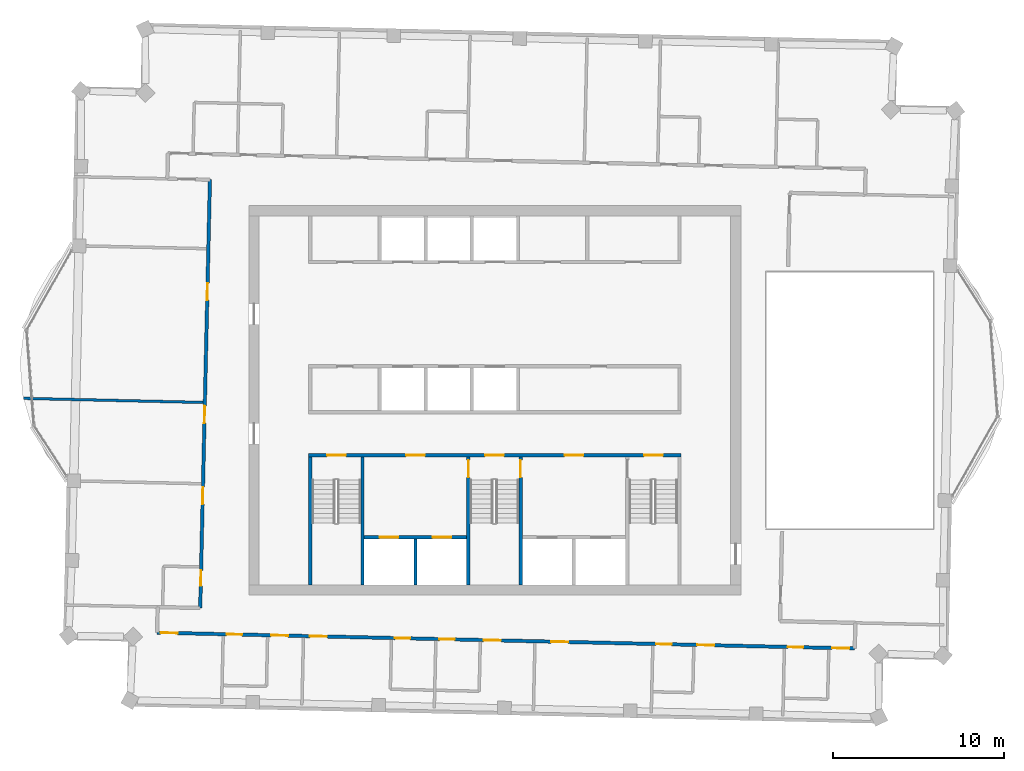
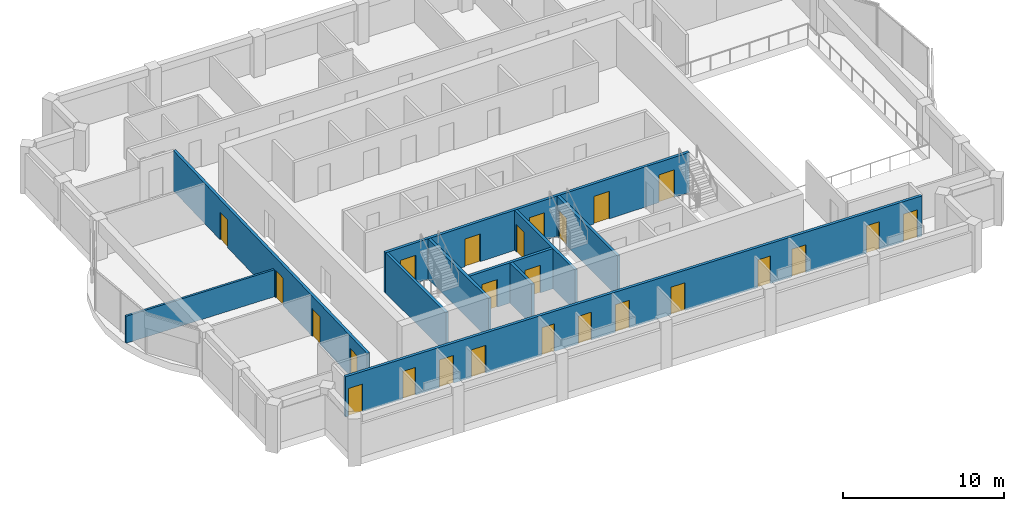
# One storey, part 7 of 12: 25 doors, 10 walls, 25 openings.
"""IFC4 building model written with IfcOpenShell, lengths in metres."""

from ifc_helpers import new_model, si_unit, direction, frame, frame_2d, origin, place, context, subcontext, project, spatial, rectangle, extrude, material, layer, layer_set, type_object, element, fill, save


model = new_model("IFC4")

# Units and contexts
model_context = context("Model", 3, precision=1e-05, world=origin(), true_north=direction((0.0, 1.0)))
body_context = subcontext(model_context, "Body", "Model", "MODEL_VIEW")
ifc_project = project(units=[si_unit("LENGTHUNIT", "METRE"), si_unit("AREAUNIT", "SQUARE_METRE"), si_unit("VOLUMEUNIT", "CUBIC_METRE"), si_unit("PLANEANGLEUNIT", "RADIAN"), si_unit("MASSUNIT", "GRAM", prefix="KILO")], contexts=[model_context])

# Site, building, storey
site_placement = place(None, origin())
site = spatial("IfcSite", under=ifc_project, at=site_placement, CompositionType="ELEMENT")
building_placement = place(site_placement, origin())
building = spatial("IfcBuilding", under=site, at=building_placement, Name="Mangrove Gate Tower", CompositionType="ELEMENT")
storey_placement = place(building_placement, frame((0.0, 0.0, 342.5)))
storey = spatial("IfcBuildingStorey", under=building, at=storey_placement, Name="L87", CompositionType="ELEMENT", Elevation=342.5)

# Wall, openings, doors
ifc_material_1 = material(Name="Concrete C50/60", Category="concrete")
ifc_layer_1 = layer(ifc_material_1, 0.199951171875)
ifc_layer_set_1 = layer_set([ifc_layer_1], Name="Core shaft wall 200 C50/60")
wall_type_1 = type_object("IfcWallType", Name="Core shaft wall 200 C50/60", PredefinedType="SHEAR", material=ifc_layer_set_1)
wall_1_placement = place(storey_placement, frame((-7.64990234375, -8.0, 0.0), z_axis=(0.0, 0.0, 1.0), x_axis=(1.0, 0.0, 0.0)))
wall_1 = element("IfcWall", 1, at=wall_1_placement, inside=storey, type_object=wall_type_1, Name="WALL-L87-CORE-15", PredefinedType="SHEAR", context=body_context, shape_type="SweptSolid", body=[
    extrude(rectangle(XDim=6.0, YDim=0.199951171875, at=frame_2d((3.0, 0.0))), origin(), (0.0, 0.0, 1.0), 3.050048828125),
])
opening_1_placement = place(wall_1_placement, frame((0.89990234375, 0.0, 0.0)))
opening_1 = element("IfcOpeningElement", 2, at=opening_1_placement, cuts=wall_1, Name="Opening LD", PredefinedType="OPENING", context=body_context, shape_type="SweptSolid", body=[
    extrude(rectangle(XDim=1.10009765625, YDim=2.10009765625, at=frame_2d((0.550048828125, 1.050048828125))), frame((0.0, 0.10986328125, 0.0), z_axis=(0.0, -1.0, 0.0), x_axis=(1.0, 0.0, 0.0)), (0.0, 0.0, 1.0), 0.219970703125),
])
opening_2_placement = place(wall_1_placement, frame((4.0, 0.0, 0.0)))
opening_2 = element("IfcOpeningElement", 3, at=opening_2_placement, cuts=wall_1, Name="Opening LD", PredefinedType="OPENING", context=body_context, shape_type="SweptSolid", body=[
    extrude(rectangle(XDim=1.10009765625, YDim=2.10009765625, at=frame_2d((0.550048828125, 1.050048828125))), frame((0.0, 0.10986328125, 0.0), z_axis=(0.0, -1.0, 0.0), x_axis=(1.0, 0.0, 0.0)), (0.0, 0.0, 1.0), 0.219970703125),
])
ifc_material_2 = material(Name="Stainless steel 316", Category="steel")
door_type_1 = type_object("IfcDoorType", Name="Lift landing door 1100x2100", OperationType="SLIDING_TO_LEFT", PredefinedType="DOOR", material=ifc_material_2)
door_1_placement = place(opening_1_placement, origin())
door_1 = element("IfcDoor", 4, at=door_1_placement, inside=storey, type_object=door_type_1, Name="Landing door LD SVL1", OperationType="SLIDING_TO_LEFT", OverallHeight=2.10009765625, OverallWidth=1.10009765625, PredefinedType="DOOR", context=body_context, shape_type="SweptSolid", body=[
    extrude(rectangle(XDim=1.10009765625, YDim=2.10009765625, at=frame_2d((0.550048828125, 1.050048828125))), frame((0.0, 0.02490234375, 0.0), z_axis=(0.0, -1.0, 0.0), x_axis=(1.0, 0.0, 0.0)), (0.0, 0.0, 1.0), 0.050048828125),
])
fill(opening_1, door_1)
door_2_placement = place(opening_2_placement, origin())
door_2 = element("IfcDoor", 5, at=door_2_placement, inside=storey, type_object=door_type_1, Name="Landing door LD SVL2", OperationType="SLIDING_TO_LEFT", OverallHeight=2.10009765625, OverallWidth=1.10009765625, PredefinedType="DOOR", context=body_context, shape_type="SweptSolid", body=[
    extrude(rectangle(XDim=1.10009765625, YDim=2.10009765625, at=frame_2d((0.550048828125, 1.050048828125))), frame((0.0, 0.02490234375, 0.0), z_axis=(0.0, -1.0, 0.0), x_axis=(1.0, 0.0, 0.0)), (0.0, 0.0, 1.0), 0.050048828125),
])
fill(opening_2, door_2)

# Wall
wall_2_placement = place(storey_placement, frame((-4.64990234375, -10.800048828125, 0.0), z_axis=(0.0, 0.0, 1.0), x_axis=(0.0, 1.0, 0.0)))
element("IfcWall", 6, at=wall_2_placement, inside=storey, type_object=wall_type_1, Name="WALL-L87-CORE-16", PredefinedType="SHEAR", context=body_context, shape_type="SweptSolid", body=[
    extrude(rectangle(XDim=2.699951171875, YDim=0.199951171875, at=frame_2d((1.35009765625, 0.0))), origin(), (0.0, 0.0, 1.0), 3.050048828125),
])

# Wall, openings, doors
ifc_material_3 = material(Name="Concrete C50/60", Category="concrete")
ifc_layer_2 = layer(ifc_material_3, 0.199951171875)
ifc_layer_set_2 = layer_set([ifc_layer_2], Name="Core stair wall 200 C50/60")
wall_type_2 = type_object("IfcWallType", Name="Core stair wall 200 C50/60", PredefinedType="SHEAR", material=ifc_layer_set_2)
wall_3_placement = place(storey_placement, frame((-10.89990234375, -3.199951171875, 0.0), z_axis=(0.0, 0.0, 1.0), x_axis=(1.0, 0.0, 0.0)))
wall_3 = element("IfcWall", 7, at=wall_3_placement, inside=storey, type_object=wall_type_2, Name="WALL-L87-CORE-5", PredefinedType="SHEAR", context=body_context, shape_type="SweptSolid", body=[
    extrude(rectangle(XDim=21.7998046875, YDim=0.199951171875, at=frame_2d((10.89990234375, 0.0))), origin(), (0.0, 0.0, 1.0), 3.050048828125),
])
opening_3_placement = place(wall_3_placement, frame((1.074951171875, 0.0, 0.0)))
opening_3 = element("IfcOpeningElement", 8, at=opening_3_placement, cuts=wall_3, Name="Opening STD11", PredefinedType="OPENING", context=body_context, shape_type="SweptSolid", body=[
    extrude(rectangle(XDim=1.10009765625, YDim=2.10009765625, at=frame_2d((0.550048828125, 1.050048828125))), frame((0.0, 0.10986328125, 0.0), z_axis=(0.0, -1.0, 0.0), x_axis=(1.0, 0.0, 0.0)), (0.0, 0.0, 1.0), 0.219970703125),
])
opening_4_placement = place(wall_3_placement, frame((10.324951171875, 0.0, 0.0)))
opening_4 = element("IfcOpeningElement", 9, at=opening_4_placement, cuts=wall_3, Name="Opening STD11", PredefinedType="OPENING", context=body_context, shape_type="SweptSolid", body=[
    extrude(rectangle(XDim=1.10009765625, YDim=2.10009765625, at=frame_2d((0.550048828125, 1.050048828125))), frame((0.0, 0.10986328125, 0.0), z_axis=(0.0, -1.0, 0.0), x_axis=(1.0, 0.0, 0.0)), (0.0, 0.0, 1.0), 0.219970703125),
])
opening_5_placement = place(wall_3_placement, frame((19.625, 0.0, 0.0)))
opening_5 = element("IfcOpeningElement", 10, at=opening_5_placement, cuts=wall_3, Name="Opening STD11", PredefinedType="OPENING", context=body_context, shape_type="SweptSolid", body=[
    extrude(rectangle(XDim=1.10009765625, YDim=2.10009765625, at=frame_2d((0.550048828125, 1.050048828125))), frame((0.0, 0.10986328125, 0.0), z_axis=(0.0, -1.0, 0.0), x_axis=(1.0, 0.0, 0.0)), (0.0, 0.0, 1.0), 0.219970703125),
])
opening_6_placement = place(wall_3_placement, frame((5.699951171875, 0.0, 0.0)))
opening_6 = element("IfcOpeningElement", 11, at=opening_6_placement, cuts=wall_3, Name="Opening FL", PredefinedType="OPENING", context=body_context, shape_type="SweptSolid", body=[
    extrude(rectangle(XDim=1.10009765625, YDim=2.10009765625, at=frame_2d((0.550048828125, 1.050048828125))), frame((0.0, 0.10986328125, 0.0), z_axis=(0.0, -1.0, 0.0), x_axis=(1.0, 0.0, 0.0)), (0.0, 0.0, 1.0), 0.219970703125),
])
opening_7_placement = place(wall_3_placement, frame((14.97509765625, 0.0, 0.0)))
opening_7 = element("IfcOpeningElement", 12, at=opening_7_placement, cuts=wall_3, Name="Opening FL", PredefinedType="OPENING", context=body_context, shape_type="SweptSolid", body=[
    extrude(rectangle(XDim=1.10009765625, YDim=2.10009765625, at=frame_2d((0.550048828125, 1.050048828125))), frame((0.0, 0.10986328125, 0.0), z_axis=(0.0, -1.0, 0.0), x_axis=(1.0, 0.0, 0.0)), (0.0, 0.0, 1.0), 0.219970703125),
])
ifc_material_4 = material(Name="Fire-rated steel door set", Category="steel")
door_type_2 = type_object("IfcDoorType", Name="Lobby door FD60 1100x2100", OperationType="SINGLE_SWING_LEFT", PredefinedType="DOOR", material=ifc_material_4)
door_3_placement = place(opening_6_placement, origin())
door_3 = element("IfcDoor", 13, at=door_3_placement, inside=storey, type_object=door_type_2, Name="Lobby door service lobby", OperationType="SINGLE_SWING_LEFT", OverallHeight=2.10009765625, OverallWidth=1.10009765625, PredefinedType="DOOR", context=body_context, shape_type="SweptSolid", body=[
    extrude(rectangle(XDim=1.10009765625, YDim=2.10009765625, at=frame_2d((0.550048828125, 1.050048828125))), frame((0.0, 0.02490234375, 0.0), z_axis=(0.0, -1.0, 0.0), x_axis=(1.0, 0.0, 0.0)), (0.0, 0.0, 1.0), 0.050048828125),
])
fill(opening_6, door_3)
door_4_placement = place(opening_7_placement, origin())
door_4 = element("IfcDoor", 14, at=door_4_placement, inside=storey, type_object=door_type_2, Name="Lobby door fire-fighting lobby", OperationType="SINGLE_SWING_LEFT", OverallHeight=2.10009765625, OverallWidth=1.10009765625, PredefinedType="DOOR", context=body_context, shape_type="SweptSolid", body=[
    extrude(rectangle(XDim=1.10009765625, YDim=2.10009765625, at=frame_2d((0.550048828125, 1.050048828125))), frame((0.0, 0.02490234375, 0.0), z_axis=(0.0, -1.0, 0.0), x_axis=(1.0, 0.0, 0.0)), (0.0, 0.0, 1.0), 0.050048828125),
])
fill(opening_7, door_4)
ifc_material_5 = material(Name="Fire-rated steel door set", Category="steel")
door_type_3 = type_object("IfcDoorType", Name="Stair door FD60 1100x2100", OperationType="SINGLE_SWING_RIGHT", PredefinedType="DOOR", material=ifc_material_5)
door_5_placement = place(opening_3_placement, origin())
door_5 = element("IfcDoor", 15, at=door_5_placement, inside=storey, type_object=door_type_3, Name="Stair door Stair 1", OperationType="SINGLE_SWING_RIGHT", OverallHeight=2.10009765625, OverallWidth=1.10009765625, PredefinedType="DOOR", context=body_context, shape_type="SweptSolid", body=[
    extrude(rectangle(XDim=1.10009765625, YDim=2.10009765625, at=frame_2d((0.550048828125, 1.050048828125))), frame((0.0, 0.02490234375, 0.0), z_axis=(0.0, -1.0, 0.0), x_axis=(1.0, 0.0, 0.0)), (0.0, 0.0, 1.0), 0.050048828125),
])
fill(opening_3, door_5)
door_6_placement = place(opening_4_placement, origin())
door_6 = element("IfcDoor", 16, at=door_6_placement, inside=storey, type_object=door_type_3, Name="Stair door Stair 2", OperationType="SINGLE_SWING_RIGHT", OverallHeight=2.10009765625, OverallWidth=1.10009765625, PredefinedType="DOOR", context=body_context, shape_type="SweptSolid", body=[
    extrude(rectangle(XDim=1.10009765625, YDim=2.10009765625, at=frame_2d((0.550048828125, 1.050048828125))), frame((0.0, 0.02490234375, 0.0), z_axis=(0.0, -1.0, 0.0), x_axis=(1.0, 0.0, 0.0)), (0.0, 0.0, 1.0), 0.050048828125),
])
fill(opening_4, door_6)
door_7_placement = place(opening_5_placement, origin())
door_7 = element("IfcDoor", 17, at=door_7_placement, inside=storey, type_object=door_type_3, Name="Stair door Stair 3", OperationType="SINGLE_SWING_RIGHT", OverallHeight=2.10009765625, OverallWidth=1.10009765625, PredefinedType="DOOR", context=body_context, shape_type="SweptSolid", body=[
    extrude(rectangle(XDim=1.10009765625, YDim=2.10009765625, at=frame_2d((0.550048828125, 1.050048828125))), frame((0.0, 0.02490234375, 0.0), z_axis=(0.0, -1.0, 0.0), x_axis=(1.0, 0.0, 0.0)), (0.0, 0.0, 1.0), 0.050048828125),
])
fill(opening_5, door_7)

# Walls
for number, where, z_axis, x_axis, name in (
    (18, (-10.800048828125, -10.800048828125, 0.0), (0.0, 0.0, 1.0), (0.0, 1.0, 0.0), "WALL-L87-CORE-9"),
    (19, (-7.75, -10.800048828125, 0.0), (0.0, 0.0, 1.0), (0.0, 1.0, 0.0), "WALL-L87-CORE-10"),
):
    element("IfcWall", number, at=place(storey_placement, frame(where, z_axis=z_axis, x_axis=x_axis)), inside=storey, type_object=wall_type_2, Name=name, PredefinedType="SHEAR", context=body_context, shape_type="SweptSolid", body=[
        extrude(rectangle(XDim=7.5, YDim=0.199951171875, at=frame_2d((3.75, 0.0))), origin(), (0.0, 0.0, 1.0), 3.050048828125),
    ])

# Wall, opening, door
wall_4_placement = place(storey_placement, frame((-1.550048828125, -10.800048828125, 0.0), z_axis=(0.0, 0.0, 1.0), x_axis=(0.0, 1.0, 0.0)))
wall_4 = element("IfcWall", 20, at=wall_4_placement, inside=storey, type_object=wall_type_2, Name="WALL-L87-CORE-11", PredefinedType="SHEAR", context=body_context, shape_type="SweptSolid", body=[
    extrude(rectangle(XDim=7.5, YDim=0.199951171875, at=frame_2d((3.75, 0.0))), origin(), (0.0, 0.0, 1.0), 3.050048828125),
])
opening_8_placement = place(wall_4_placement, frame((6.300048828125, 0.0, 0.0)))
opening_8 = element("IfcOpeningElement", 21, at=opening_8_placement, cuts=wall_4, Name="Opening STD10", PredefinedType="OPENING", context=body_context, shape_type="SweptSolid", body=[
    extrude(rectangle(XDim=1.0, YDim=2.10009765625, at=frame_2d((0.5, 1.050048828125))), frame((0.0, 0.10986328125, 0.0), z_axis=(0.0, -1.0, 0.0), x_axis=(1.0, 0.0, 0.0)), (0.0, 0.0, 1.0), 0.219970703125),
])
ifc_material_6 = material(Name="Fire-rated steel door set", Category="steel")
door_type_4 = type_object("IfcDoorType", Name="Stair door FD60 1000x2100", OperationType="SINGLE_SWING_RIGHT", PredefinedType="DOOR", material=ifc_material_6)
door_8_placement = place(opening_8_placement, origin())
door_8 = element("IfcDoor", 22, at=door_8_placement, inside=storey, type_object=door_type_4, Name="Stair door Stair 2 from service lobby", OperationType="SINGLE_SWING_RIGHT", OverallHeight=2.10009765625, OverallWidth=1.0, PredefinedType="DOOR", context=body_context, shape_type="SweptSolid", body=[
    extrude(rectangle(XDim=1.0, YDim=2.10009765625, at=frame_2d((0.5, 1.050048828125))), frame((0.0, 0.02490234375, 0.0), z_axis=(0.0, -1.0, 0.0), x_axis=(1.0, 0.0, 0.0)), (0.0, 0.0, 1.0), 0.050048828125),
])
fill(opening_8, door_8)

wall_5_placement = place(storey_placement, frame((1.5, -10.800048828125, 0.0), z_axis=(0.0, 0.0, 1.0), x_axis=(0.0, 1.0, 0.0)))
wall_5 = element("IfcWall", 23, at=wall_5_placement, inside=storey, type_object=wall_type_2, Name="WALL-L87-CORE-12", PredefinedType="SHEAR", context=body_context, shape_type="SweptSolid", body=[
    extrude(rectangle(XDim=7.5, YDim=0.199951171875, at=frame_2d((3.75, 0.0))), origin(), (0.0, 0.0, 1.0), 3.050048828125),
])
opening_9_placement = place(wall_5_placement, frame((6.300048828125, 0.0, 0.0)))
opening_9 = element("IfcOpeningElement", 24, at=opening_9_placement, cuts=wall_5, Name="Opening STD10", PredefinedType="OPENING", context=body_context, shape_type="SweptSolid", body=[
    extrude(rectangle(XDim=1.0, YDim=2.10009765625, at=frame_2d((0.5, 1.050048828125))), frame((0.0, 0.10986328125, 0.0), z_axis=(0.0, -1.0, 0.0), x_axis=(1.0, 0.0, 0.0)), (0.0, 0.0, 1.0), 0.219970703125),
])
door_9_placement = place(opening_9_placement, origin())
door_9 = element("IfcDoor", 25, at=door_9_placement, inside=storey, type_object=door_type_4, Name="Stair door Stair 2 from fire-fighting lobby", OperationType="SINGLE_SWING_RIGHT", OverallHeight=2.10009765625, OverallWidth=1.0, PredefinedType="DOOR", context=body_context, shape_type="SweptSolid", body=[
    extrude(rectangle(XDim=1.0, YDim=2.10009765625, at=frame_2d((0.5, 1.050048828125))), frame((0.0, 0.02490234375, 0.0), z_axis=(0.0, -1.0, 0.0), x_axis=(1.0, 0.0, 0.0)), (0.0, 0.0, 1.0), 0.050048828125),
])
fill(opening_9, door_9)

# Wall, openings, doors
ifc_material_7 = material(Name="Gypsum board on steel stud, EI 60", Category="steel")
ifc_layer_3 = layer(ifc_material_7, 0.199951171875)
ifc_layer_set_3 = layer_set([ifc_layer_3], Name="Corridor wall EI 60")
wall_type_3 = type_object("IfcWallType", Name="Corridor wall EI 60", PredefinedType="PARTITIONING", material=ifc_layer_set_3)
wall_6_placement = place(storey_placement, frame((-19.76806640625, -13.592041015625, 0.0), z_axis=(0.0, 0.0, 1.0), x_axis=(0.999742831561, -0.02267753826, 0.0)))
wall_6 = element("IfcWall", 26, at=wall_6_placement, inside=storey, type_object=wall_type_3, Name="WALL-L87-017", PredefinedType="PARTITIONING", context=body_context, shape_type="SweptSolid", body=[
    extrude(rectangle(XDim=40.83447265625, YDim=0.199951171875, at=frame_2d((20.417236328125, 0.0))), origin(), (0.0, 0.0, 1.0), 3.050048828125),
])
opening_10_placement = place(wall_6_placement, frame((0.199951171875, 0.0, 0.0)))
opening_10 = element("IfcOpeningElement", 27, at=opening_10_placement, cuts=wall_6, Name="Opening AD", PredefinedType="OPENING", context=body_context, shape_type="SweptSolid", body=[
    extrude(rectangle(XDim=1.0, YDim=2.10009765625, at=frame_2d((0.5, 1.050048828125))), frame((0.0, 0.10986328125, 0.0), z_axis=(0.0, -1.0, 0.0), x_axis=(1.0, 0.0, 0.0)), (0.0, 0.0, 1.0), 0.219970703125),
])
opening_11_placement = place(wall_6_placement, frame((6.66796875, 0.0, 0.0)))
opening_11 = element("IfcOpeningElement", 28, at=opening_11_placement, cuts=wall_6, Name="Opening AD", PredefinedType="OPENING", context=body_context, shape_type="SweptSolid", body=[
    extrude(rectangle(XDim=1.0, YDim=2.10009765625, at=frame_2d((0.5, 1.050048828125))), frame((0.0, 0.10986328125, 0.0), z_axis=(0.0, -1.0, 0.0), x_axis=(1.0, 0.0, 0.0)), (0.0, 0.0, 1.0), 0.219970703125),
])
opening_12_placement = place(wall_6_placement, frame((4.068115234375, 0.0, 0.0)))
opening_12 = element("IfcOpeningElement", 29, at=opening_12_placement, cuts=wall_6, Name="Opening SD", PredefinedType="OPENING", context=body_context, shape_type="SweptSolid", body=[
    extrude(rectangle(XDim=0.89990234375, YDim=2.10009765625, at=frame_2d((0.449951171875, 1.050048828125))), frame((0.0, 0.10986328125, 0.0), z_axis=(0.0, -1.0, 0.0), x_axis=(1.0, 0.0, 0.0)), (0.0, 0.0, 1.0), 0.219970703125),
])
opening_13_placement = place(wall_6_placement, frame((8.93603515625, 0.0, 0.0)))
opening_13 = element("IfcOpeningElement", 30, at=opening_13_placement, cuts=wall_6, Name="Opening AD", PredefinedType="OPENING", context=body_context, shape_type="SweptSolid", body=[
    extrude(rectangle(XDim=1.0, YDim=2.10009765625, at=frame_2d((0.5, 1.050048828125))), frame((0.0, 0.10986328125, 0.0), z_axis=(0.0, -1.0, 0.0), x_axis=(1.0, 0.0, 0.0)), (0.0, 0.0, 1.0), 0.219970703125),
])
opening_14_placement = place(wall_6_placement, frame((13.91796875, 0.0, 0.0)))
opening_14 = element("IfcOpeningElement", 31, at=opening_14_placement, cuts=wall_6, Name="Opening SD", PredefinedType="OPENING", context=body_context, shape_type="SweptSolid", body=[
    extrude(rectangle(XDim=0.89990234375, YDim=2.10009765625, at=frame_2d((0.449951171875, 1.050048828125))), frame((0.0, 0.10986328125, 0.0), z_axis=(0.0, -1.0, 0.0), x_axis=(1.0, 0.0, 0.0)), (0.0, 0.0, 1.0), 0.219970703125),
])
opening_15_placement = place(wall_6_placement, frame((19.117919921875, 0.0, 0.0)))
opening_15 = element("IfcOpeningElement", 32, at=opening_15_placement, cuts=wall_6, Name="Opening AD", PredefinedType="OPENING", context=body_context, shape_type="SweptSolid", body=[
    extrude(rectangle(XDim=1.0, YDim=2.10009765625, at=frame_2d((0.5, 1.050048828125))), frame((0.0, 0.10986328125, 0.0), z_axis=(0.0, -1.0, 0.0), x_axis=(1.0, 0.0, 0.0)), (0.0, 0.0, 1.0), 0.219970703125),
])
opening_16_placement = place(wall_6_placement, frame((16.51806640625, 0.0, 0.0)))
opening_16 = element("IfcOpeningElement", 33, at=opening_16_placement, cuts=wall_6, Name="Opening SD", PredefinedType="OPENING", context=body_context, shape_type="SweptSolid", body=[
    extrude(rectangle(XDim=0.89990234375, YDim=2.10009765625, at=frame_2d((0.449951171875, 1.050048828125))), frame((0.0, 0.10986328125, 0.0), z_axis=(0.0, -1.0, 0.0), x_axis=(1.0, 0.0, 0.0)), (0.0, 0.0, 1.0), 0.219970703125),
])
opening_17_placement = place(wall_6_placement, frame((23.06591796875, 0.0, 0.0)))
opening_17 = element("IfcOpeningElement", 34, at=opening_17_placement, cuts=wall_6, Name="Opening AD", PredefinedType="OPENING", context=body_context, shape_type="SweptSolid", body=[
    extrude(rectangle(XDim=1.0, YDim=2.10009765625, at=frame_2d((0.5, 1.050048828125))), frame((0.0, 0.10986328125, 0.0), z_axis=(0.0, -1.0, 0.0), x_axis=(1.0, 0.0, 0.0)), (0.0, 0.0, 1.0), 0.219970703125),
])
opening_18_placement = place(wall_6_placement, frame((31.617919921875, 0.0, 0.0)))
opening_18 = element("IfcOpeningElement", 35, at=opening_18_placement, cuts=wall_6, Name="Opening AD", PredefinedType="OPENING", context=body_context, shape_type="SweptSolid", body=[
    extrude(rectangle(XDim=1.0, YDim=2.10009765625, at=frame_2d((0.5, 1.050048828125))), frame((0.0, 0.10986328125, 0.0), z_axis=(0.0, -1.0, 0.0), x_axis=(1.0, 0.0, 0.0)), (0.0, 0.0, 1.0), 0.219970703125),
])
opening_19_placement = place(wall_6_placement, frame((29.218017578125, 0.0, 0.0)))
opening_19 = element("IfcOpeningElement", 36, at=opening_19_placement, cuts=wall_6, Name="Opening SD", PredefinedType="OPENING", context=body_context, shape_type="SweptSolid", body=[
    extrude(rectangle(XDim=0.89990234375, YDim=2.10009765625, at=frame_2d((0.449951171875, 1.050048828125))), frame((0.0, 0.10986328125, 0.0), z_axis=(0.0, -1.0, 0.0), x_axis=(1.0, 0.0, 0.0)), (0.0, 0.0, 1.0), 0.219970703125),
])
opening_20_placement = place(wall_6_placement, frame((39.51806640625, 0.0, 0.0)))
opening_20 = element("IfcOpeningElement", 37, at=opening_20_placement, cuts=wall_6, Name="Opening AD", PredefinedType="OPENING", context=body_context, shape_type="SweptSolid", body=[
    extrude(rectangle(XDim=1.0, YDim=2.10009765625, at=frame_2d((0.5, 1.050048828125))), frame((0.0, 0.10986328125, 0.0), z_axis=(0.0, -1.0, 0.0), x_axis=(1.0, 0.0, 0.0)), (0.0, 0.0, 1.0), 0.219970703125),
])
opening_21_placement = place(wall_6_placement, frame((36.91796875, 0.0, 0.0)))
opening_21 = element("IfcOpeningElement", 38, at=opening_21_placement, cuts=wall_6, Name="Opening SD", PredefinedType="OPENING", context=body_context, shape_type="SweptSolid", body=[
    extrude(rectangle(XDim=0.89990234375, YDim=2.10009765625, at=frame_2d((0.449951171875, 1.050048828125))), frame((0.0, 0.10986328125, 0.0), z_axis=(0.0, -1.0, 0.0), x_axis=(1.0, 0.0, 0.0)), (0.0, 0.0, 1.0), 0.219970703125),
])
ifc_material_8 = material(Name="Timber door leaf", Category="wood")
door_type_5 = type_object("IfcDoorType", Name="Amenity door 1000", OperationType="SINGLE_SWING_LEFT", PredefinedType="DOOR", material=ifc_material_8)
door_10_placement = place(opening_10_placement, origin())
door_10 = element("IfcDoor", 39, at=door_10_placement, inside=storey, type_object=door_type_5, Name="DOOR-L87-KIT-c1a", OperationType="SINGLE_SWING_LEFT", OverallHeight=2.10009765625, OverallWidth=1.0, PredefinedType="DOOR", context=body_context, shape_type="SweptSolid", body=[
    extrude(rectangle(XDim=1.0, YDim=2.10009765625, at=frame_2d((0.5, 1.050048828125))), frame((0.0, 0.02490234375, 0.0), z_axis=(0.0, -1.0, 0.0), x_axis=(1.0, 0.0, 0.0)), (0.0, 0.0, 1.0), 0.050048828125),
])
fill(opening_10, door_10)
door_11_placement = place(opening_11_placement, origin())
door_11 = element("IfcDoor", 40, at=door_11_placement, inside=storey, type_object=door_type_5, Name="DOOR-L87-STU-c1a", OperationType="SINGLE_SWING_RIGHT", OverallHeight=2.10009765625, OverallWidth=1.0, PredefinedType="DOOR", context=body_context, shape_type="SweptSolid", body=[
    extrude(rectangle(XDim=1.0, YDim=2.10009765625, at=frame_2d((0.5, 1.050048828125))), frame((0.0, 0.02490234375, 0.0), z_axis=(0.0, -1.0, 0.0), x_axis=(1.0, 0.0, 0.0)), (0.0, 0.0, 1.0), 0.050048828125),
])
fill(opening_11, door_11)
door_12_placement = place(opening_13_placement, origin())
door_12 = element("IfcDoor", 41, at=door_12_placement, inside=storey, type_object=door_type_5, Name="DOOR-L87-LNG-c1a", OperationType="SINGLE_SWING_LEFT", OverallHeight=2.10009765625, OverallWidth=1.0, PredefinedType="DOOR", context=body_context, shape_type="SweptSolid", body=[
    extrude(rectangle(XDim=1.0, YDim=2.10009765625, at=frame_2d((0.5, 1.050048828125))), frame((0.0, 0.02490234375, 0.0), z_axis=(0.0, -1.0, 0.0), x_axis=(1.0, 0.0, 0.0)), (0.0, 0.0, 1.0), 0.050048828125),
])
fill(opening_13, door_12)
door_13_placement = place(opening_15_placement, origin())
door_13 = element("IfcDoor", 42, at=door_13_placement, inside=storey, type_object=door_type_5, Name="DOOR-L87-KIT-c1b", OperationType="SINGLE_SWING_RIGHT", OverallHeight=2.10009765625, OverallWidth=1.0, PredefinedType="DOOR", context=body_context, shape_type="SweptSolid", body=[
    extrude(rectangle(XDim=1.0, YDim=2.10009765625, at=frame_2d((0.5, 1.050048828125))), frame((0.0, 0.02490234375, 0.0), z_axis=(0.0, -1.0, 0.0), x_axis=(1.0, 0.0, 0.0)), (0.0, 0.0, 1.0), 0.050048828125),
])
fill(opening_15, door_13)
door_14_placement = place(opening_17_placement, origin())
door_14 = element("IfcDoor", 43, at=door_14_placement, inside=storey, type_object=door_type_5, Name="DOOR-L87-GAM-c2a", OperationType="SINGLE_SWING_LEFT", OverallHeight=2.10009765625, OverallWidth=1.0, PredefinedType="DOOR", context=body_context, shape_type="SweptSolid", body=[
    extrude(rectangle(XDim=1.0, YDim=2.10009765625, at=frame_2d((0.5, 1.050048828125))), frame((0.0, 0.02490234375, 0.0), z_axis=(0.0, -1.0, 0.0), x_axis=(1.0, 0.0, 0.0)), (0.0, 0.0, 1.0), 0.050048828125),
])
fill(opening_17, door_14)
door_15_placement = place(opening_18_placement, origin())
door_15 = element("IfcDoor", 44, at=door_15_placement, inside=storey, type_object=door_type_5, Name="DOOR-L87-LNG-c2a", OperationType="SINGLE_SWING_RIGHT", OverallHeight=2.10009765625, OverallWidth=1.0, PredefinedType="DOOR", context=body_context, shape_type="SweptSolid", body=[
    extrude(rectangle(XDim=1.0, YDim=2.10009765625, at=frame_2d((0.5, 1.050048828125))), frame((0.0, 0.02490234375, 0.0), z_axis=(0.0, -1.0, 0.0), x_axis=(1.0, 0.0, 0.0)), (0.0, 0.0, 1.0), 0.050048828125),
])
fill(opening_18, door_15)
door_16_placement = place(opening_20_placement, origin())
door_16 = element("IfcDoor", 45, at=door_16_placement, inside=storey, type_object=door_type_5, Name="DOOR-L87-KIT-c2a", OperationType="SINGLE_SWING_LEFT", OverallHeight=2.10009765625, OverallWidth=1.0, PredefinedType="DOOR", context=body_context, shape_type="SweptSolid", body=[
    extrude(rectangle(XDim=1.0, YDim=2.10009765625, at=frame_2d((0.5, 1.050048828125))), frame((0.0, 0.02490234375, 0.0), z_axis=(0.0, -1.0, 0.0), x_axis=(1.0, 0.0, 0.0)), (0.0, 0.0, 1.0), 0.050048828125),
])
fill(opening_20, door_16)
ifc_material_9 = material(Name="Timber door leaf", Category="wood")
door_type_6 = type_object("IfcDoorType", Name="Service room door 900", OperationType="SINGLE_SWING_LEFT", PredefinedType="DOOR", material=ifc_material_9)
door_17_placement = place(opening_12_placement, origin())
door_17 = element("IfcDoor", 46, at=door_17_placement, inside=storey, type_object=door_type_6, Name="DOOR-L87-AWC-c1a", OperationType="SINGLE_SWING_LEFT", OverallHeight=2.10009765625, OverallWidth=0.89990234375, PredefinedType="DOOR", context=body_context, shape_type="SweptSolid", body=[
    extrude(rectangle(XDim=0.89990234375, YDim=2.10009765625, at=frame_2d((0.449951171875, 1.050048828125))), frame((0.0, 0.02490234375, 0.0), z_axis=(0.0, -1.0, 0.0), x_axis=(1.0, 0.0, 0.0)), (0.0, 0.0, 1.0), 0.050048828125),
])
fill(opening_12, door_17)
door_18_placement = place(opening_14_placement, origin())
door_18 = element("IfcDoor", 47, at=door_18_placement, inside=storey, type_object=door_type_6, Name="DOOR-L87-AWC-c1b", OperationType="SINGLE_SWING_RIGHT", OverallHeight=2.10009765625, OverallWidth=0.89990234375, PredefinedType="DOOR", context=body_context, shape_type="SweptSolid", body=[
    extrude(rectangle(XDim=0.89990234375, YDim=2.10009765625, at=frame_2d((0.449951171875, 1.050048828125))), frame((0.0, 0.02490234375, 0.0), z_axis=(0.0, -1.0, 0.0), x_axis=(1.0, 0.0, 0.0)), (0.0, 0.0, 1.0), 0.050048828125),
])
fill(opening_14, door_18)
door_19_placement = place(opening_16_placement, origin())
door_19 = element("IfcDoor", 48, at=door_19_placement, inside=storey, type_object=door_type_6, Name="DOOR-L87-AWC-c1c", OperationType="SINGLE_SWING_LEFT", OverallHeight=2.10009765625, OverallWidth=0.89990234375, PredefinedType="DOOR", context=body_context, shape_type="SweptSolid", body=[
    extrude(rectangle(XDim=0.89990234375, YDim=2.10009765625, at=frame_2d((0.449951171875, 1.050048828125))), frame((0.0, 0.02490234375, 0.0), z_axis=(0.0, -1.0, 0.0), x_axis=(1.0, 0.0, 0.0)), (0.0, 0.0, 1.0), 0.050048828125),
])
fill(opening_16, door_19)
door_20_placement = place(opening_19_placement, origin())
door_20 = element("IfcDoor", 49, at=door_20_placement, inside=storey, type_object=door_type_6, Name="DOOR-L87-WC-c2a", OperationType="SINGLE_SWING_RIGHT", OverallHeight=2.10009765625, OverallWidth=0.89990234375, PredefinedType="DOOR", context=body_context, shape_type="SweptSolid", body=[
    extrude(rectangle(XDim=0.89990234375, YDim=2.10009765625, at=frame_2d((0.449951171875, 1.050048828125))), frame((0.0, 0.02490234375, 0.0), z_axis=(0.0, -1.0, 0.0), x_axis=(1.0, 0.0, 0.0)), (0.0, 0.0, 1.0), 0.050048828125),
])
fill(opening_19, door_20)
door_21_placement = place(opening_21_placement, origin())
door_21 = element("IfcDoor", 50, at=door_21_placement, inside=storey, type_object=door_type_6, Name="DOOR-L87-AWC-c2a", OperationType="SINGLE_SWING_LEFT", OverallHeight=2.10009765625, OverallWidth=0.89990234375, PredefinedType="DOOR", context=body_context, shape_type="SweptSolid", body=[
    extrude(rectangle(XDim=0.89990234375, YDim=2.10009765625, at=frame_2d((0.449951171875, 1.050048828125))), frame((0.0, 0.02490234375, 0.0), z_axis=(0.0, -1.0, 0.0), x_axis=(1.0, 0.0, 0.0)), (0.0, 0.0, 1.0), 0.050048828125),
])
fill(opening_21, door_21)

wall_7_placement = place(storey_placement, frame((-17.2470703125, -12.14892578125, 0.0), z_axis=(0.0, 0.0, 1.0), x_axis=(0.022696191528, 0.999742408268, 0.0)))
wall_7 = element("IfcWall", 51, at=wall_7_placement, inside=storey, type_object=wall_type_3, Name="WALL-L87-022", PredefinedType="PARTITIONING", context=body_context, shape_type="SweptSolid", body=[
    extrude(rectangle(XDim=25.07421875, YDim=0.199951171875, at=frame_2d((12.537109375, 0.0))), origin(), (0.0, 0.0, 1.0), 3.050048828125),
])
opening_22_placement = place(wall_7_placement, frame((18.02197265625, 0.0, 0.0)))
opening_22 = element("IfcOpeningElement", 52, at=opening_22_placement, cuts=wall_7, Name="Opening AD", PredefinedType="OPENING", context=body_context, shape_type="SweptSolid", body=[
    extrude(rectangle(XDim=1.0, YDim=2.10009765625, at=frame_2d((0.5, 1.050048828125))), frame((0.0, 0.10986328125, 0.0), z_axis=(0.0, -1.0, 0.0), x_axis=(1.0, 0.0, 0.0)), (0.0, 0.0, 1.0), 0.219970703125),
])
opening_23_placement = place(wall_7_placement, frame((10.824951171875, 0.0, 0.0)))
opening_23 = element("IfcOpeningElement", 53, at=opening_23_placement, cuts=wall_7, Name="Opening AD", PredefinedType="OPENING", context=body_context, shape_type="SweptSolid", body=[
    extrude(rectangle(XDim=1.0, YDim=2.10009765625, at=frame_2d((0.5, 1.050048828125))), frame((0.0, 0.10986328125, 0.0), z_axis=(0.0, -1.0, 0.0), x_axis=(1.0, 0.0, 0.0)), (0.0, 0.0, 1.0), 0.219970703125),
])
opening_24_placement = place(wall_7_placement, frame((6.074951171875, 0.0, 0.0)))
opening_24 = element("IfcOpeningElement", 54, at=opening_24_placement, cuts=wall_7, Name="Opening AD", PredefinedType="OPENING", context=body_context, shape_type="SweptSolid", body=[
    extrude(rectangle(XDim=1.0, YDim=2.10009765625, at=frame_2d((0.5, 1.050048828125))), frame((0.0, 0.10986328125, 0.0), z_axis=(0.0, -1.0, 0.0), x_axis=(1.0, 0.0, 0.0)), (0.0, 0.0, 1.0), 0.219970703125),
])
opening_25_placement = place(wall_7_placement, frame((1.300048828125, 0.0, 0.0)))
opening_25 = element("IfcOpeningElement", 55, at=opening_25_placement, cuts=wall_7, Name="Opening SD", PredefinedType="OPENING", context=body_context, shape_type="SweptSolid", body=[
    extrude(rectangle(XDim=0.89990234375, YDim=2.10009765625, at=frame_2d((0.449951171875, 1.050048828125))), frame((0.0, 0.10986328125, 0.0), z_axis=(0.0, -1.0, 0.0), x_axis=(1.0, 0.0, 0.0)), (0.0, 0.0, 1.0), 0.219970703125),
])
door_22_placement = place(opening_22_placement, origin())
door_22 = element("IfcDoor", 56, at=door_22_placement, inside=storey, type_object=door_type_5, Name="DOOR-L87-LNG-c5a", OperationType="SINGLE_SWING_RIGHT", OverallHeight=2.10009765625, OverallWidth=1.0, PredefinedType="DOOR", context=body_context, shape_type="SweptSolid", body=[
    extrude(rectangle(XDim=1.0, YDim=2.10009765625, at=frame_2d((0.5, 1.050048828125))), frame((0.0, 0.02490234375, 0.0), z_axis=(0.0, -1.0, 0.0), x_axis=(1.0, 0.0, 0.0)), (0.0, 0.0, 1.0), 0.050048828125),
])
fill(opening_22, door_22)
door_23_placement = place(opening_23_placement, origin())
door_23 = element("IfcDoor", 57, at=door_23_placement, inside=storey, type_object=door_type_5, Name="DOOR-L87-STU-c5b", OperationType="SINGLE_SWING_LEFT", OverallHeight=2.10009765625, OverallWidth=1.0, PredefinedType="DOOR", context=body_context, shape_type="SweptSolid", body=[
    extrude(rectangle(XDim=1.0, YDim=2.10009765625, at=frame_2d((0.5, 1.050048828125))), frame((0.0, 0.02490234375, 0.0), z_axis=(0.0, -1.0, 0.0), x_axis=(1.0, 0.0, 0.0)), (0.0, 0.0, 1.0), 0.050048828125),
])
fill(opening_23, door_23)
door_24_placement = place(opening_24_placement, origin())
door_24 = element("IfcDoor", 58, at=door_24_placement, inside=storey, type_object=door_type_5, Name="DOOR-L87-LNG-c5b", OperationType="SINGLE_SWING_RIGHT", OverallHeight=2.10009765625, OverallWidth=1.0, PredefinedType="DOOR", context=body_context, shape_type="SweptSolid", body=[
    extrude(rectangle(XDim=1.0, YDim=2.10009765625, at=frame_2d((0.5, 1.050048828125))), frame((0.0, 0.02490234375, 0.0), z_axis=(0.0, -1.0, 0.0), x_axis=(1.0, 0.0, 0.0)), (0.0, 0.0, 1.0), 0.050048828125),
])
fill(opening_24, door_24)
door_25_placement = place(opening_25_placement, origin())
door_25 = element("IfcDoor", 59, at=door_25_placement, inside=storey, type_object=door_type_6, Name="DOOR-L87-LIN-c5a", OperationType="SINGLE_SWING_LEFT", OverallHeight=2.10009765625, OverallWidth=0.89990234375, PredefinedType="DOOR", context=body_context, shape_type="SweptSolid", body=[
    extrude(rectangle(XDim=0.89990234375, YDim=2.10009765625, at=frame_2d((0.449951171875, 1.050048828125))), frame((0.0, 0.02490234375, 0.0), z_axis=(0.0, -1.0, 0.0), x_axis=(1.0, 0.0, 0.0)), (0.0, 0.0, 1.0), 0.050048828125),
])
fill(opening_25, door_25)

# Wall
ifc_material_10 = material(Name="Gypsum board on steel stud, EI 60", Category="steel")
ifc_layer_4 = layer(ifc_material_10, 0.14990234375)
ifc_layer_set_4 = layer_set([ifc_layer_4], Name="Party wall 150 EI 60")
wall_type_4 = type_object("IfcWallType", Name="Party wall 150 EI 60", PredefinedType="PARTITIONING", material=ifc_layer_set_4)
wall_8_placement = place(storey_placement, frame((-27.58203125, 0.118896484375, 0.0), z_axis=(0.0, 0.0, 1.0), x_axis=(0.999744001663, -0.022625895337, 0.0)))
element("IfcWall", 60, at=wall_8_placement, inside=storey, type_object=wall_type_4, Name="WALL-L87-028", PredefinedType="PARTITIONING", context=body_context, shape_type="SweptSolid", body=[
    extrude(rectangle(XDim=10.509765625, YDim=0.14990234375, at=frame_2d((5.2548828125, 0.0))), origin(), (0.0, 0.0, 1.0), 2.050048828125),
])

save(model, "model.ifc")
